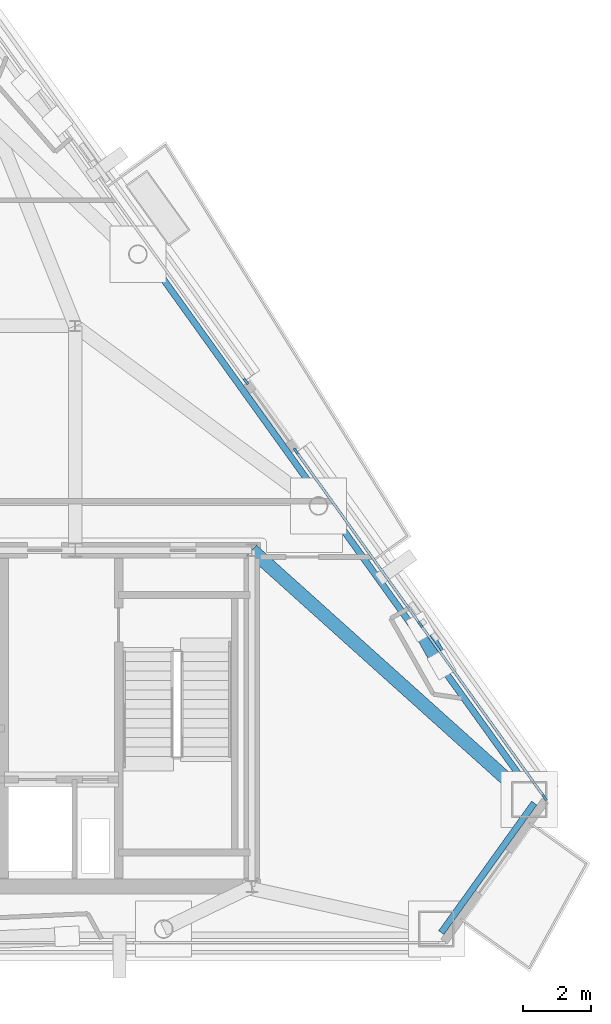
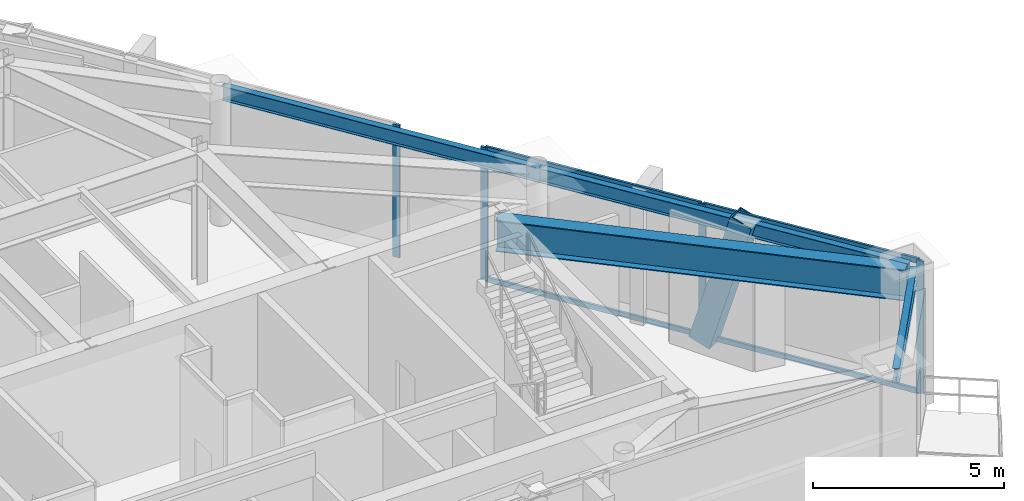
# One storey, part 5 of 11: 9 members, 4 beams, 2 elements without a shape of their own.
"""IFC4 building model written with IfcOpenShell, lengths in metres."""

from ifc_helpers import new_model, si_unit, direction, frame, origin, origin_2d, place, context, subcontext, project, spatial, rectangle, hollow_rectangle, i_section, extrude, material, layer, layer_set, material_profile, profile_set, type_object, element, aggregate, save


model = new_model("IFC4")

# Units and contexts
model_context = context("Model", 3, precision=1e-05, world=origin(), true_north=direction((0.0, 1.0)))
body_context = subcontext(model_context, "Body", "Model", "MODEL_VIEW")
ifc_project = project(units=[si_unit("LENGTHUNIT", "METRE"), si_unit("AREAUNIT", "SQUARE_METRE"), si_unit("VOLUMEUNIT", "CUBIC_METRE"), si_unit("PLANEANGLEUNIT", "RADIAN"), si_unit("MASSUNIT", "GRAM", prefix="KILO")], contexts=[model_context])

# Site, building, storey
site_placement = place(None, origin())
site = spatial("IfcSite", under=ifc_project, at=site_placement, CompositionType="ELEMENT")
building_placement = place(site_placement, origin())
building = spatial("IfcBuilding", under=site, at=building_placement, Name="Talgorran Terracotta Tower", CompositionType="ELEMENT")
storey_placement = place(building_placement, frame((0.0, 0.0, 228.89990234375)))
storey = spatial("IfcBuildingStorey", under=building, at=storey_placement, Name="L60", CompositionType="ELEMENT", Elevation=228.89990234375)

# Beams
ifc_material_1 = material(Name="Steel Grade 350 (350L0)", Category="steel")
ifc_material_profile_1 = material_profile(ifc_material_1, i_section(OverallWidth=0.39990234375, OverallDepth=1.0, WebThickness=0.01611328125, FlangeThickness=0.031005859375, at=origin_2d()), Name="1000WB296")
ifc_profile_set_1 = profile_set([ifc_material_profile_1], Name="Steel Grade 350 (350L0)")
beam_type_1 = type_object("IfcBeamType", Name="BM_1000WB296", PredefinedType="BEAM", material=ifc_profile_set_1)
beam_1_placement = place(storey_placement, frame((12.39990234375, -4.199951171875, 3.7451171875), z_axis=(0.743768255752, -0.668437567567, 0.0), x_axis=(0.668437567567, 0.743768255752, 0.0)))
element("IfcBeam", 1, at=beam_1_placement, inside=storey, type_object=beam_type_1, Name="L60 Floor Girder G18", PredefinedType="BEAM", context=body_context, shape_type="SweptSolid", body=[
    extrude(i_section(OverallWidth=0.39990234375, OverallDepth=1.0, WebThickness=0.01611328125, FlangeThickness=0.031005859375, at=origin_2d()), origin(), (0.0, 0.0, 1.0), 10.980224609375),
])
ifc_material_2 = material(Name="Steel S355 (300PLUS)", Category="steel")
ifc_material_profile_2 = material_profile(ifc_material_2, i_section(OverallWidth=0.18994140625, OverallDepth=0.45703125, WebThickness=0.009033203125, FlangeThickness=0.014404296875, at=origin_2d()), Name="460UB74.6")
ifc_profile_set_2 = profile_set([ifc_material_profile_2], Name="Steel S355 (300PLUS)")
beam_type_2 = type_object("IfcBeamType", Name="BM_SP_460UB74", PredefinedType="SPANDREL", material=ifc_profile_set_2)
beam_2_placement = place(storey_placement, frame((17.976318359375, -15.457275390625, 4.0166015625), z_axis=(0.583096756271, 0.812402715915, 0.0), x_axis=(-0.812402715915, 0.583096756271, 0.0)))
element("IfcBeam", 2, at=beam_2_placement, inside=storey, type_object=beam_type_2, Name="L60 Perimeter Spandrel Beam MC3-MC4", PredefinedType="SPANDREL", context=body_context, shape_type="SweptSolid", body=[
    extrude(i_section(OverallWidth=0.18994140625, OverallDepth=0.45703125, WebThickness=0.009033203125, FlangeThickness=0.014404296875, at=origin_2d()), origin(), (0.0, 0.0, 1.0), 4.693115234375),
])
beam_3_placement = place(storey_placement, frame((20.712890625, -11.4345703125, 4.0166015625), z_axis=(-0.583120966057, 0.812385338953, 0.0), x_axis=(-0.812385338953, -0.583120966057, 0.0)))
element("IfcBeam", 3, at=beam_3_placement, inside=storey, type_object=beam_type_2, Name="L60 Perimeter Spandrel Beam MC4-FC3", PredefinedType="SPANDREL", context=body_context, shape_type="SweptSolid", body=[
    extrude(i_section(OverallWidth=0.18994140625, OverallDepth=0.45703125, WebThickness=0.009033203125, FlangeThickness=0.014404296875, at=origin_2d()), origin(), (0.0, 0.0, 1.0), 10.63818359375),
])
beam_4_placement = place(storey_placement, frame((14.509521484375, -2.792236328125, 4.0166015625), z_axis=(-0.583100770976, 0.812399834372, 0.0), x_axis=(-0.812399834372, -0.583100770976, 0.0)))
element("IfcBeam", 4, at=beam_4_placement, inside=storey, type_object=beam_type_2, Name="L60 Perimeter Spandrel Beam FC3-FC4", PredefinedType="SPANDREL", context=body_context, shape_type="SweptSolid", body=[
    extrude(i_section(OverallWidth=0.18994140625, OverallDepth=0.45703125, WebThickness=0.009033203125, FlangeThickness=0.014404296875, at=origin_2d()), origin(), (0.0, 0.0, 1.0), 9.118408203125),
])

# Member
ifc_material_profile_3 = material_profile(ifc_material_1, hollow_rectangle(XDim=0.52001953125, YDim=0.659912109375, WallThickness=0.034912109375, at=origin_2d()), Name="WBOX660X520X35")
ifc_profile_set_3 = profile_set([ifc_material_profile_3], Name="Steel Grade 350 (350L0)")
member_type_1 = type_object("IfcMemberType", Name="MB_MEGA_660", PredefinedType="BRACE", material=ifc_profile_set_3)
member_1_placement = place(storey_placement, frame((17.359619140625, -6.453857421875, -0.02490234375), z_axis=(0.139755292231, -0.248453852855, 0.958508811277), x_axis=(0.871575537125, 0.490261239633, 0.0)))
element("IfcMember", 5, at=member_1_placement, inside=storey, type_object=member_type_1, Name="L60 Exterior Face Mega-Brace MB-3 (NEL)", PredefinedType="BRACE", context=body_context, shape_type="SweptSolid", body=[
    extrude(hollow_rectangle(XDim=0.52001953125, YDim=0.659912109375, WallThickness=0.034912109375, at=origin_2d()), origin(), (0.0, 0.0, 1.0), 4.48095703125),
])

# Curtain wall, members
ifc_material_3 = material(Name="High-Wind Unitised Glazing", Category="glass")
ifc_layer = layer(ifc_material_3, 0.2099609375, Name="CW_SYS3_RES_HIGH")
ifc_layer_set = layer_set([ifc_layer], Name="High-Wind Unitised Glazing")
curtain_wall_type = type_object("IfcCurtainWallType", Name="CW_SYS3_RES_HIGH", PredefinedType="NOTDEFINED", material=ifc_layer_set)
curtain_wall_1_placement = place(storey_placement, origin())
curtain_wall_1 = element("IfcCurtainWall", 6, at=curtain_wall_1_placement, inside=storey, type_object=curtain_wall_type, Name="CW-L60-F40", PredefinedType="NOTDEFINED")
ifc_material_4 = material(Name="Architectural Aluminium 6063-T6", Category="aluminium")
ifc_material_profile_4 = material_profile(ifc_material_4, rectangle(XDim=0.070068359375, YDim=0.199951171875, at=origin_2d()), Name="CWM70X200")
ifc_profile_set_4 = profile_set([ifc_material_profile_4], Name="Architectural Aluminium 6063-T6")
member_type_2 = type_object("IfcMemberType", Name="MUL_70X200", PredefinedType="MULLION", material=ifc_profile_set_4)
member_2_placement = place(storey_placement, frame((21.015380859375, -11.478759765625, 0.0), z_axis=(0.0, 0.0, 1.0), x_axis=(-0.812389409963, -0.583115294414, 0.0)))
member_2 = element("IfcMember", 7, at=member_2_placement, type_object=member_type_2, Name="CW-L60-40 mullion 1", PredefinedType="MULLION", context=body_context, shape_type="SweptSolid", body=[
    extrude(rectangle(XDim=0.070068359375, YDim=0.199951171875, at=origin_2d()), origin(), (0.0, 0.0, 1.0), 4.2451171875),
])
member_3_placement = place(storey_placement, frame((17.3583984375, -6.383544921875, 0.0), z_axis=(0.0, 0.0, 1.0), x_axis=(-0.812389409963, -0.583115294414, 0.0)))
member_3 = element("IfcMember", 8, at=member_3_placement, type_object=member_type_2, Name="CW-L60-40 mullion 2", PredefinedType="MULLION", context=body_context, shape_type="SweptSolid", body=[
    extrude(rectangle(XDim=0.070068359375, YDim=0.199951171875, at=origin_2d()), origin(), (0.0, 0.0, 1.0), 4.2451171875),
])
member_4_placement = place(storey_placement, frame((13.701171875, -1.28857421875, 0.0), z_axis=(0.0, 0.0, 1.0), x_axis=(-0.812389409963, -0.583115294414, 0.0)))
member_4 = element("IfcMember", 9, at=member_4_placement, type_object=member_type_2, Name="CW-L60-40 mullion 3", PredefinedType="MULLION", context=body_context, shape_type="SweptSolid", body=[
    extrude(rectangle(XDim=0.070068359375, YDim=0.199951171875, at=origin_2d()), origin(), (0.0, 0.0, 1.0), 4.2451171875),
])

# Curtain wall, member
curtain_wall_2_placement = place(storey_placement, origin())
curtain_wall_2 = element("IfcCurtainWall", 10, at=curtain_wall_2_placement, inside=storey, type_object=curtain_wall_type, Name="CW-L60-F41", PredefinedType="NOTDEFINED")
member_5_placement = place(storey_placement, frame((12.225830078125, 0.766845703125, 0.0), z_axis=(0.0, 0.0, 1.0), x_axis=(-0.812391900316, -0.583111824868, 0.0)))
member_5 = element("IfcMember", 11, at=member_5_placement, type_object=member_type_2, Name="CW-L60-41 mullion 1", PredefinedType="MULLION", context=body_context, shape_type="SweptSolid", body=[
    extrude(rectangle(XDim=0.070068359375, YDim=0.199951171875, at=origin_2d()), origin(), (0.0, 0.0, 1.0), 4.2451171875),
])
aggregate(curtain_wall_2, [member_5])

# Member
ifc_material_profile_5 = material_profile(ifc_material_4, rectangle(XDim=0.070068359375, YDim=0.159912109375, at=origin_2d()), Name="CWT70X160")
ifc_profile_set_5 = profile_set([ifc_material_profile_5], Name="Architectural Aluminium 6063-T6")
member_type_3 = type_object("IfcMemberType", Name="TRN_70X160", PredefinedType="USERDEFINED", material=ifc_profile_set_5)
member_6_placement = place(storey_placement, frame((20.994873046875, -11.4501953125, 0.03515625), z_axis=(-0.583113526611, 0.812390678851, 0.0), x_axis=(-0.812390678851, -0.583113526611, 0.0)))
member_6 = element("IfcMember", 12, at=member_6_placement, type_object=member_type_3, Name="CW-L60-40 transom 1.1", ObjectType="TRANSOM", PredefinedType="USERDEFINED", context=body_context, shape_type="SweptSolid", body=[
    extrude(rectangle(XDim=0.070068359375, YDim=0.159912109375, at=origin_2d()), origin(), (0.0, 0.0, 1.0), 6.20166015625),
])

member_7_placement = place(storey_placement, frame((20.994873046875, -11.4501953125, 4.210205078125), z_axis=(-0.583113526611, 0.812390678851, 0.0), x_axis=(-0.812390678851, -0.583113526611, 0.0)))
member_7 = element("IfcMember", 13, at=member_7_placement, type_object=member_type_3, Name="CW-L60-40 transom 1.2", ObjectType="TRANSOM", PredefinedType="USERDEFINED", context=body_context, shape_type="SweptSolid", body=[
    extrude(rectangle(XDim=0.070068359375, YDim=0.159912109375, at=origin_2d()), origin(), (0.0, 0.0, 1.0), 6.20166015625),
])

member_8_placement = place(storey_placement, frame((17.337890625, -6.355224609375, 0.03515625), z_axis=(-0.583113526611, 0.812390678851, 0.0), x_axis=(-0.812390678851, -0.583113526611, 0.0)))
member_8 = element("IfcMember", 14, at=member_8_placement, type_object=member_type_3, Name="CW-L60-40 transom 2.1", ObjectType="TRANSOM", PredefinedType="USERDEFINED", context=body_context, shape_type="SweptSolid", body=[
    extrude(rectangle(XDim=0.070068359375, YDim=0.159912109375, at=origin_2d()), origin(), (0.0, 0.0, 1.0), 6.20166015625),
])

member_9_placement = place(storey_placement, frame((17.337890625, -6.355224609375, 4.210205078125), z_axis=(-0.583113526611, 0.812390678851, 0.0), x_axis=(-0.812390678851, -0.583113526611, 0.0)))
member_9 = element("IfcMember", 15, at=member_9_placement, type_object=member_type_3, Name="CW-L60-40 transom 2.2", ObjectType="TRANSOM", PredefinedType="USERDEFINED", context=body_context, shape_type="SweptSolid", body=[
    extrude(rectangle(XDim=0.070068359375, YDim=0.159912109375, at=origin_2d()), origin(), (0.0, 0.0, 1.0), 6.20166015625),
])

aggregate(curtain_wall_1, [member_2, member_3, member_4, member_6, member_7, member_8, member_9])

save(model, "model.ifc")
